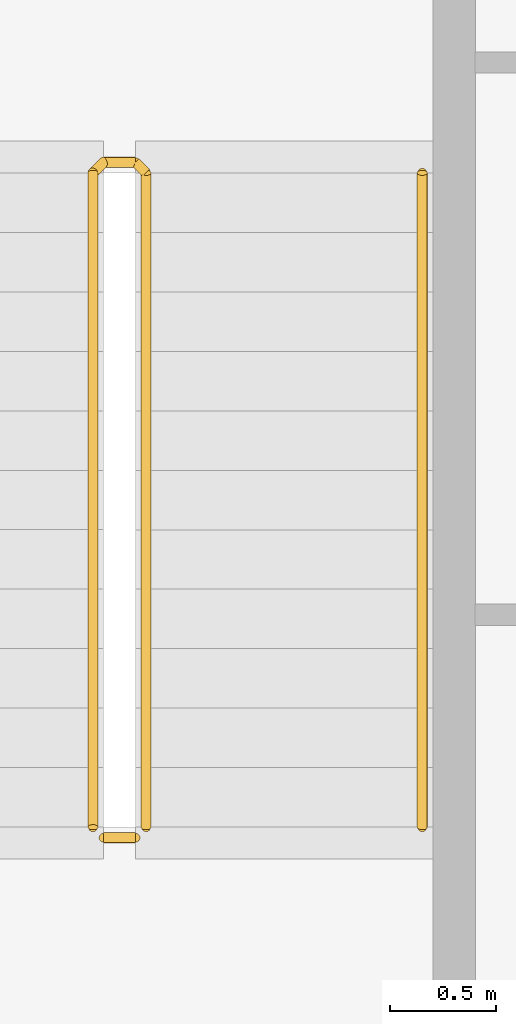
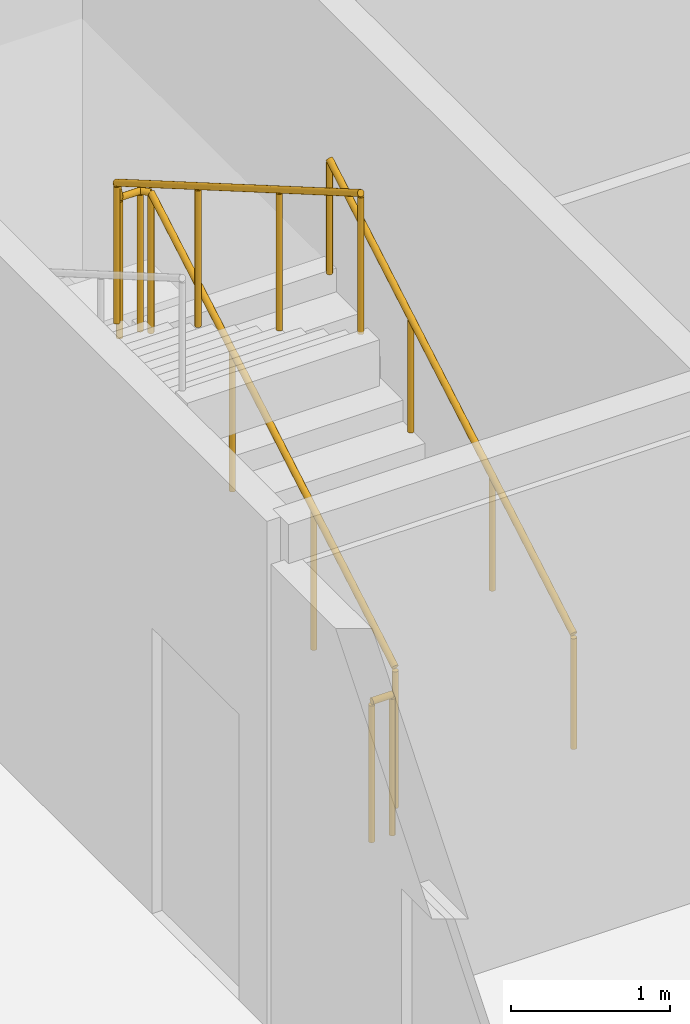
# One storey, part 26 of 27: 3 railings.
"""IFC4 building model written with IfcOpenShell, lengths in metres."""

from ifc_helpers import new_model, si_unit, direction, frame, origin, origin_2d, place, context, subcontext, project, spatial, circle, extrude, material, type_object, element, save


model = new_model("IFC4")

# Units and contexts
model_context = context("Model", 3, precision=1e-05, world=origin(), true_north=direction((0.0, 1.0)))
body_context = subcontext(model_context, "Body", "Model", "MODEL_VIEW")
ifc_project = project(units=[si_unit("LENGTHUNIT", "METRE"), si_unit("AREAUNIT", "SQUARE_METRE"), si_unit("VOLUMEUNIT", "CUBIC_METRE"), si_unit("PLANEANGLEUNIT", "RADIAN"), si_unit("MASSUNIT", "GRAM", prefix="KILO")], contexts=[model_context])

# Site, building, storey
site_placement = place(None, origin())
site = spatial("IfcSite", under=ifc_project, at=site_placement, CompositionType="ELEMENT")
building_placement = place(site_placement, origin())
building = spatial("IfcBuilding", under=site, at=building_placement, Name="Kheshtan School and Residences Tower", CompositionType="ELEMENT")
storey_placement = place(building_placement, frame((0.0, 0.0, 98.0)))
storey = spatial("IfcBuildingStorey", under=building, at=storey_placement, Name="L22", CompositionType="ELEMENT", Elevation=98.0)

# Railings
ifc_material_1 = material(Name="Stainless steel balustrade", Category="steel")
railing_type_1 = type_object("IfcRailingType", Name="Stair guard 1100", PredefinedType="GUARDRAIL", material=ifc_material_1)
railing_1_placement = place(storey_placement, frame((35.0, 80.89990234375, 0.16259765625)))
element("IfcRailing", 1, at=railing_1_placement, inside=storey, type_object=railing_type_1, Name="L22 ST3 stair guard 1", PredefinedType="GUARDRAIL", context=body_context, shape_type="SweptSolid", body=[
    extrude(circle(Radius=0.02392578125, at=origin_2d()), frame((0.0, 0.0, 1.076171875), z_axis=(0.0, 0.864920483161, 0.501908913857), x_axis=(-1.0, 0.0, 0.0)), (0.0, 0.0, 1.0), 3.56103515625),
    extrude(circle(Radius=0.02392578125, at=origin_2d()), frame((0.0, 3.080078125, 2.86328125), z_axis=(-0.707106781187, 0.707106781187, 0.0), x_axis=(-0.707106781187, -0.707106781187, 0.0)), (0.0, 0.0, 1.0), 0.07080078125),
    extrude(circle(Radius=0.02392578125, at=origin_2d()), frame((-0.050048828125, 3.130126953125, 2.86328125), z_axis=(-1.0, 0.0, 0.0), x_axis=(0.0, -1.0, 0.0)), (0.0, 0.0, 1.0), 0.14990234375),
    extrude(circle(Radius=0.02392578125, at=origin_2d()), frame((-0.199951171875, 3.130126953125, 2.86328125), z_axis=(-0.282227285176, -0.282227285176, 0.916894497205), x_axis=(0.707106781187, -0.707106781187, 0.0)), (0.0, 0.0, 1.0), 0.17724609375),
    extrude(circle(Radius=0.02392578125, at=origin_2d()), frame((-0.25, 3.080078125, 3.02587890625), z_axis=(0.0, -0.864920483161, 0.501908913857), x_axis=(1.0, 0.0, 0.0)), (0.0, 0.0, 1.0), 3.56103515625),
    extrude(circle(Radius=0.02099609375, at=origin_2d()), origin(), (0.0, 0.0, 1.0), 1.052001953125),
    extrude(circle(Radius=0.02099609375, at=origin_2d()), frame((0.0, 1.026611328125, 0.595703125)), (0.0, 0.0, 1.0), 1.052001953125),
    extrude(circle(Radius=0.02099609375, at=origin_2d()), frame((0.0, 2.053466796875, 1.191650390625)), (0.0, 0.0, 1.0), 1.052001953125),
    extrude(circle(Radius=0.02099609375, at=origin_2d()), frame((0.0, 3.080078125, 1.787353515625)), (0.0, 0.0, 1.0), 1.052001953125),
    extrude(circle(Radius=0.02099609375, at=origin_2d()), frame((-0.050048828125, 3.130126953125, 1.787353515625)), (0.0, 0.0, 1.0), 1.052001953125),
    extrude(circle(Radius=0.02099609375, at=origin_2d()), frame((-0.199951171875, 3.130126953125, 1.787353515625)), (0.0, 0.0, 1.0), 1.052001953125),
    extrude(circle(Radius=0.02099609375, at=origin_2d()), frame((-0.25, 3.080078125, 1.949951171875)), (0.0, 0.0, 1.0), 1.052001953125),
    extrude(circle(Radius=0.02099609375, at=origin_2d()), frame((-0.25, 2.053466796875, 2.545654296875)), (0.0, 0.0, 1.0), 1.052001953125),
    extrude(circle(Radius=0.02099609375, at=origin_2d()), frame((-0.25, 1.026611328125, 3.1416015625)), (0.0, 0.0, 1.0), 1.052001953125),
    extrude(circle(Radius=0.02099609375, at=origin_2d()), frame((-0.25, 0.0, 3.7373046875)), (0.0, 0.0, 1.0), 1.052001953125),
])
railing_2_placement = place(storey_placement, frame((34.949951171875, 80.85009765625, 0.0)))
element("IfcRailing", 2, at=railing_2_placement, inside=storey, type_object=railing_type_1, Name="L22 ST3 stair guard 2", PredefinedType="GUARDRAIL", context=body_context, shape_type="SweptSolid", body=[
    extrude(circle(Radius=0.02392578125, at=origin_2d()), frame((0.0, 0.0, 1.076171875), z_axis=(-1.0, 0.0, 0.0), x_axis=(0.0, -1.0, 0.0)), (0.0, 0.0, 1.0), 0.14990234375),
    extrude(circle(Radius=0.02099609375, at=origin_2d()), origin(), (0.0, 0.0, 1.0), 1.052001953125),
    extrude(circle(Radius=0.02099609375, at=origin_2d()), frame((-0.14990234375, 0.0, 0.0)), (0.0, 0.0, 1.0), 1.052001953125),
])
ifc_material_2 = material(Name="Stainless steel handrail", Category="steel")
railing_type_2 = type_object("IfcRailingType", Name="Stair handrail 900", PredefinedType="HANDRAIL", material=ifc_material_2)
railing_3_placement = place(storey_placement, frame((36.300048828125, 80.89990234375, 0.16259765625)))
element("IfcRailing", 3, at=railing_3_placement, inside=storey, type_object=railing_type_2, Name="L22 ST3 stair handrail 1", PredefinedType="HANDRAIL", context=body_context, shape_type="SweptSolid", body=[
    extrude(circle(Radius=0.02392578125, at=origin_2d()), frame((0.0, 0.0, 0.8759765625), z_axis=(0.0, 0.864920483161, 0.501908913857), x_axis=(-1.0, 0.0, 0.0)), (0.0, 0.0, 1.0), 3.56103515625),
    extrude(circle(Radius=0.02099609375, at=origin_2d()), origin(), (0.0, 0.0, 1.0), 0.851806640625),
    extrude(circle(Radius=0.02099609375, at=origin_2d()), frame((0.0, 1.026611328125, 0.595703125)), (0.0, 0.0, 1.0), 0.851806640625),
    extrude(circle(Radius=0.02099609375, at=origin_2d()), frame((0.0, 2.053466796875, 1.191650390625)), (0.0, 0.0, 1.0), 0.851806640625),
    extrude(circle(Radius=0.02099609375, at=origin_2d()), frame((0.0, 3.080078125, 1.787353515625)), (0.0, 0.0, 1.0), 0.851806640625),
])

save(model, "model.ifc")
